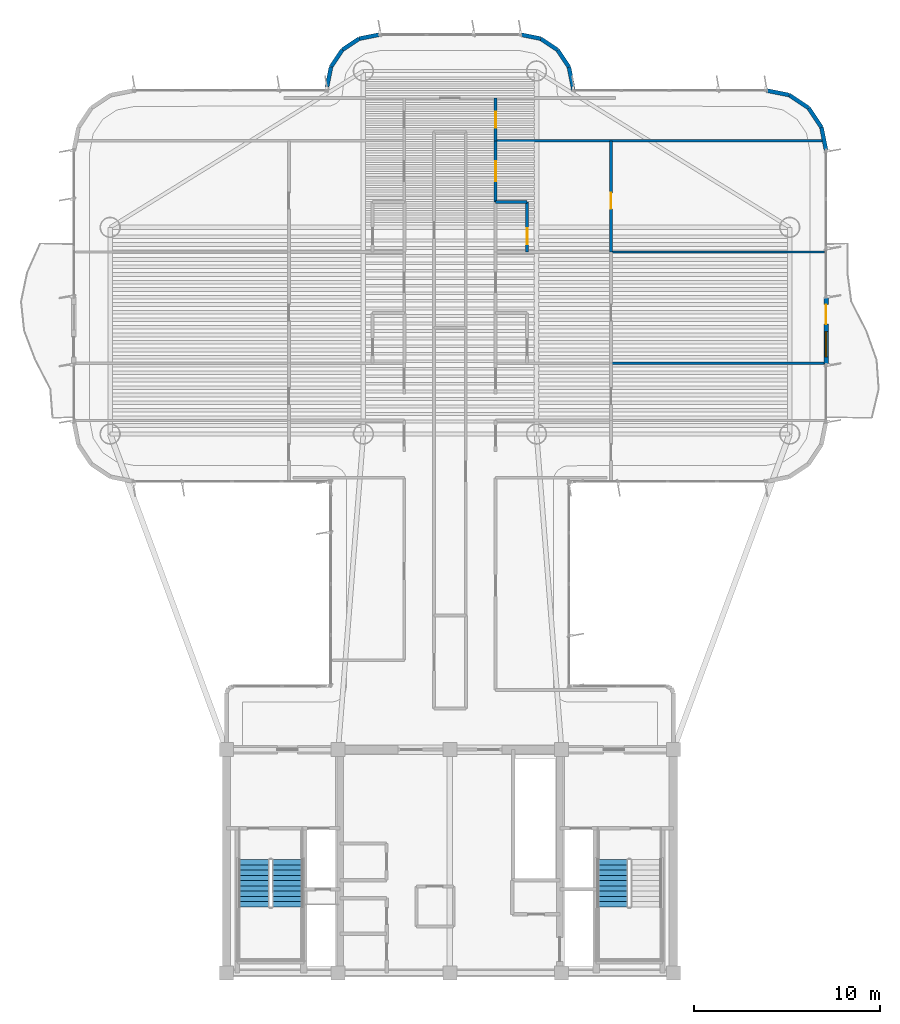
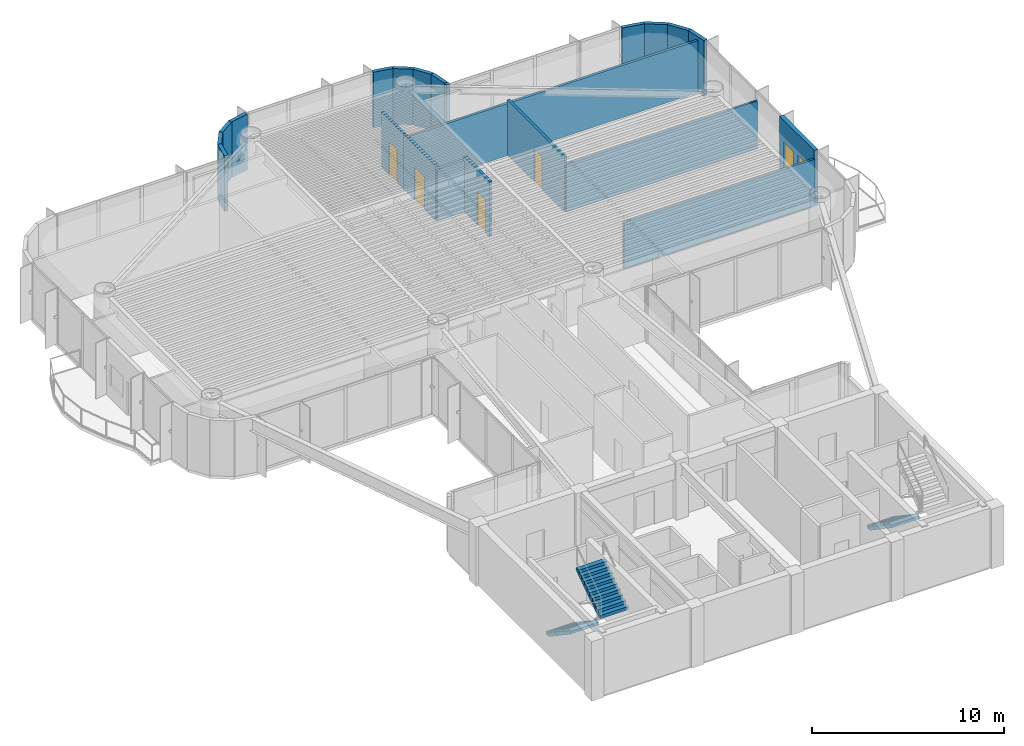
# One storey, part 12 of 15: 22 walls, 5 doors, 3 stair flights, 1 window, 6 openings, 2 elements without a shape of their own.
"""IFC4 building model written with IfcOpenShell, lengths in metres."""

from ifc_helpers import new_model, si_unit, direction, frame, frame_2d, origin, origin_2d, place, context, subcontext, project, spatial, polyline, rectangle, outline, extrude, source, transform, mapped, material, layer, layer_set, type_object, element, fill, aggregate, save


model = new_model("IFC4")

# Units and contexts
model_context = context("Model", 3, precision=1e-05, world=origin(), true_north=direction((0.0, 1.0)))
body_context = subcontext(model_context, "Body", "Model", "MODEL_VIEW")
ifc_project = project(units=[si_unit("LENGTHUNIT", "METRE"), si_unit("AREAUNIT", "SQUARE_METRE"), si_unit("VOLUMEUNIT", "CUBIC_METRE"), si_unit("PLANEANGLEUNIT", "RADIAN"), si_unit("MASSUNIT", "GRAM", prefix="KILO")], contexts=[model_context])

# Site, building, storey
site_placement = place(None, origin())
site = spatial("IfcSite", under=ifc_project, at=site_placement, CompositionType="ELEMENT")
building_placement = place(site_placement, origin())
building = spatial("IfcBuilding", under=site, at=building_placement, Name="Brelvock Crest Care Tower", CompositionType="ELEMENT")
storey_placement = place(building_placement, frame((0.0, 0.0, 171.5400390625)))
storey = spatial("IfcBuildingStorey", under=building, at=storey_placement, Name="L43", CompositionType="ELEMENT", Elevation=171.5400390625)

# Wall, openings, door, window
ifc_material_1 = material(Name="Precast concrete N40 (40 MPa)", Category="concrete")
ifc_layer_1 = layer(ifc_material_1, 0.239990234375, Name="WL-EX1")
ifc_layer_set_1 = layer_set([ifc_layer_1], Name="Precast concrete N40 (40 MPa)")
wall_type_1 = type_object("IfcWallType", Name="WL-EX1", PredefinedType="SOLIDWALL", material=ifc_layer_set_1)
wall_1_placement = place(storey_placement, frame((56.199951171875, 42.300048828125, 0.0), z_axis=(0.0, 0.0, 1.0), x_axis=(0.0, -1.0, 0.0)))
wall_1 = element("IfcWall", 1, at=wall_1_placement, inside=storey, type_object=wall_type_1, Name="L43 Exterior Spandrel Wall WL-BAL-L43-E", PredefinedType="SOLIDWALL", context=body_context, shape_type="SweptSolid", body=[
    extrude(rectangle(XDim=3.60009765625, YDim=0.239990234375, at=frame_2d((1.800048828125, 0.0))), origin(), (0.0, 0.0, 1.0), 3.530029296875),
])
opening_1_placement = place(wall_1_placement, frame((0.39990234375, 0.0, 0.0)))
opening_1 = element("IfcOpeningElement", 2, at=opening_1_placement, cuts=wall_1, Name="Opening BD-1", PredefinedType="OPENING", context=body_context, shape_type="SweptSolid", body=[
    extrude(rectangle(XDim=1.050048828125, YDim=2.14990234375, at=origin_2d()), frame((0.52490234375, 0.1298828125, 1.074951171875), z_axis=(0.0, -1.0, 0.0), x_axis=(1.0, 0.0, 0.0)), (0.0, 0.0, 1.0), 0.260009765625),
])
opening_2_placement = place(wall_1_placement, frame((1.85009765625, 0.0, 0.85009765625)))
opening_2 = element("IfcOpeningElement", 3, at=opening_2_placement, cuts=wall_1, Name="Opening W-01", PredefinedType="OPENING", context=body_context, shape_type="SweptSolid", body=[
    extrude(rectangle(XDim=1.35009765625, YDim=1.35009765625, at=origin_2d()), frame((0.675048828125, 0.1298828125, 0.675048828125), z_axis=(0.0, -1.0, 0.0), x_axis=(1.0, 0.0, 0.0)), (0.0, 0.0, 1.0), 0.260009765625),
])
ifc_material_2 = material(Name="Dark Glass Double Glazed Low-E", Category="glass")
door_type_1 = type_object("IfcDoorType", Name="DR-BAL1", OperationType="NOTDEFINED", PredefinedType="DOOR", material=ifc_material_2)
shared_shape_1 = source(origin(), body_context, "Body", "SweptSolid", [
    extrude(rectangle(XDim=1.050048828125, YDim=2.14990234375, at=origin_2d()), frame((0.52490234375, 0.02490234375, 1.074951171875), z_axis=(0.0, -1.0, 0.0), x_axis=(1.0, 0.0, 0.0)), (0.0, 0.0, 1.0), 0.050048828125),
])
door_1_placement = place(opening_1_placement, origin())
door_1 = element("IfcDoor", 4, at=door_1_placement, inside=storey, type_object=door_type_1, Name="L43 E Wave Balcony Glazed Door", OperationType="SINGLE_SWING_RIGHT", OverallHeight=2.14990234375, OverallWidth=1.050048828125, PredefinedType="DOOR", context=body_context, shape_type="MappedRepresentation", body=[
    mapped(shared_shape_1, transform((0.0, 0.0, 0.0), x_axis=(1.0, 0.0, 0.0), y_axis=(0.0, 1.0, 0.0), z_axis=(0.0, 0.0, 1.0), scale=1.0)),
])
fill(opening_1, door_1)
window_type = type_object("IfcWindowType", Name="WN-EX1", PartitioningType="SINGLE_PANEL", PredefinedType="WINDOW", material=ifc_material_2)
shared_shape_2 = source(origin(), body_context, "Body", "SweptSolid", [
    extrude(rectangle(XDim=1.35009765625, YDim=1.35009765625, at=origin_2d()), frame((0.675048828125, 0.030029296875, 0.675048828125), z_axis=(0.0, -1.0, 0.0), x_axis=(1.0, 0.0, 0.0)), (0.0, 0.0, 1.0), 0.06005859375),
])
window_placement = place(opening_2_placement, origin())
window = element("IfcWindow", 5, at=window_placement, inside=storey, type_object=window_type, Name="L43 E Suite Casement Window", OverallHeight=1.35009765625, OverallWidth=1.35009765625, PartitioningType="SINGLE_PANEL", PredefinedType="WINDOW", context=body_context, shape_type="MappedRepresentation", body=[
    mapped(shared_shape_2, transform((0.0, 0.0, 0.0), x_axis=(1.0, 0.0, 0.0), y_axis=(0.0, 1.0, 0.0), z_axis=(0.0, 0.0, 1.0), scale=1.0)),
])
fill(opening_2, window)

# Walls
ifc_layer_2 = layer(ifc_material_1, 0.215087890625, Name="WL-EX2")
ifc_layer_set_2 = layer_set([ifc_layer_2], Name="Precast concrete N40 (40 MPa)")
wall_type_2 = type_object("IfcWallType", Name="WL-EX2", PredefinedType="SOLIDWALL", material=ifc_layer_set_2)
wall_2_placement = place(storey_placement, frame((29.39990234375, 53.60009765625, 0.0), z_axis=(0.0, 0.0, 1.0), x_axis=(0.195127417394, 0.980777900945, 0.0)))
element("IfcWall", 6, at=wall_2_placement, inside=storey, type_object=wall_type_2, Name="L43 Rounded Corner Wall 24", PredefinedType="SOLIDWALL", context=body_context, shape_type="SweptSolid", body=[
    extrude(rectangle(XDim=1.09228515625, YDim=0.215087890625, at=frame_2d((0.546142578125, 0.0))), origin(), (0.0, 0.0, 1.0), 3.530029296875),
])
wall_3_placement = place(storey_placement, frame((29.613037109375, 54.67138671875, 0.0), z_axis=(0.0, 0.0, 1.0), x_axis=(0.555679482341, 0.831396603857, 0.0)))
element("IfcWall", 7, at=wall_3_placement, inside=storey, type_object=wall_type_2, Name="L43 Rounded Corner Wall 25", PredefinedType="SOLIDWALL", context=body_context, shape_type="SweptSolid", body=[
    extrude(rectangle(XDim=1.0927734375, YDim=0.215087890625, at=frame_2d((0.54638671875, 0.0))), origin(), (0.0, 0.0, 1.0), 3.530029296875),
])
for number, where, z_axis, x_axis, name in (
    (8, (30.22021484375, 55.579833984375, 0.0), (0.0, 0.0, 1.0), (0.831327592857, 0.555782721353, 0.0), "L43 Rounded Corner Wall 26"),
    (9, (31.12841796875, 56.18701171875, 0.0), (0.0, 0.0, 1.0), (0.980829143587, 0.194869677195, 0.0), "L43 Rounded Corner Wall 27"),
    (10, (39.800048828125, 56.39990234375, 0.0), (0.0, 0.0, 1.0), (0.980829143587, -0.194869677195, 0.0), "L43 Rounded Corner Wall 29"),
    (11, (40.87158203125, 56.18701171875, 0.0), (0.0, 0.0, 1.0), (0.831327592857, -0.555782721353, 0.0), "L43 Rounded Corner Wall 30"),
):
    element("IfcWall", number, at=place(storey_placement, frame(where, z_axis=z_axis, x_axis=x_axis)), inside=storey, type_object=wall_type_2, Name=name, PredefinedType="SOLIDWALL", context=body_context, shape_type="SweptSolid", body=[
        extrude(rectangle(XDim=1.092529296875, YDim=0.215087890625, at=frame_2d((0.54638671875, 0.0))), origin(), (0.0, 0.0, 1.0), 3.530029296875),
    ])
wall_4_placement = place(storey_placement, frame((41.77978515625, 55.579833984375, 0.0), z_axis=(0.0, 0.0, 1.0), x_axis=(0.555679482341, -0.831396603857, 0.0)))
element("IfcWall", 12, at=wall_4_placement, inside=storey, type_object=wall_type_2, Name="L43 Rounded Corner Wall 31", PredefinedType="SOLIDWALL", context=body_context, shape_type="SweptSolid", body=[
    extrude(rectangle(XDim=1.0927734375, YDim=0.215087890625, at=frame_2d((0.54638671875, 0.0))), origin(), (0.0, 0.0, 1.0), 3.530029296875),
])
wall_5_placement = place(storey_placement, frame((42.386962890625, 54.67138671875, 0.0), z_axis=(0.0, 0.0, 1.0), x_axis=(0.195127417394, -0.980777900945, 0.0)))
element("IfcWall", 13, at=wall_5_placement, inside=storey, type_object=wall_type_2, Name="L43 Rounded Corner Wall 32", PredefinedType="SOLIDWALL", context=body_context, shape_type="SweptSolid", body=[
    extrude(rectangle(XDim=1.09228515625, YDim=0.215087890625, at=frame_2d((0.546142578125, 0.0))), origin(), (0.0, 0.0, 1.0), 3.530029296875),
])
wall_6_placement = place(storey_placement, frame((42.60009765625, 53.60009765625, 0.0), z_axis=(0.0, 0.0, 1.0), x_axis=(0.0, -1.0, 0.0)))
element("IfcWall", 14, at=wall_6_placement, inside=storey, type_object=wall_type_2, Name="L43 Rounded Corner Wall 33", PredefinedType="SOLIDWALL", context=body_context, shape_type="SweptSolid", body=[
    extrude(rectangle(XDim=0.2001953125, YDim=0.215087890625, at=frame_2d((0.10009765625, 0.0))), origin(), (0.0, 0.0, 1.0), 3.530029296875),
])
for number, where, z_axis, x_axis, name in (
    (15, (53.0, 53.39990234375, 0.0), (0.0, 0.0, 1.0), (0.980813122964, -0.194950295773, 0.0), "L43 Rounded Corner Wall 35"),
    (16, (54.224609375, 53.156494140625, 0.0), (0.0, 0.0, 1.0), (0.831387912822, -0.555692485475, 0.0), "L43 Rounded Corner Wall 36"),
    (17, (55.2626953125, 52.462646484375, 0.0), (0.0, 0.0, 1.0), (0.555557312883, -0.831478245117, 0.0), "L43 Rounded Corner Wall 37"),
    (18, (55.956298828125, 51.424560546875, 0.0), (0.0, 0.0, 1.0), (0.195138390419, -0.980775717779, 0.0), "L43 Rounded Corner Wall 38"),
):
    element("IfcWall", number, at=place(storey_placement, frame(where, z_axis=z_axis, x_axis=x_axis)), inside=storey, type_object=wall_type_2, Name=name, PredefinedType="SOLIDWALL", context=body_context, shape_type="SweptSolid", body=[
        extrude(rectangle(XDim=1.24853515625, YDim=0.215087890625, at=frame_2d((0.624267578125, 0.0))), origin(), (0.0, 0.0, 1.0), 3.530029296875),
    ])
ifc_material_3 = material(Name="Masonry Blockwork Acoustic Partition", Category="masonry")
ifc_layer_3 = layer(ifc_material_3, 0.14990234375, Name="WL-INT1")
ifc_layer_set_3 = layer_set([ifc_layer_3], Name="Masonry Blockwork Acoustic Partition")
wall_type_3 = type_object("IfcWallType", Name="WL-INT1", PredefinedType="PARTITIONING", material=ifc_layer_set_3)
wall_7_placement = place(storey_placement, frame((38.449951171875, 50.699951171875, 0.0), z_axis=(0.0, 0.0, 1.0), x_axis=(1.0, 0.0, 0.0)))
element("IfcWall", 19, at=wall_7_placement, inside=storey, type_object=wall_type_3, Name="L43 Interior Wall WL-BX-L43-NALE-S", PredefinedType="PARTITIONING", context=body_context, shape_type="SweptSolid", body=[
    extrude(rectangle(XDim=17.569091796875, YDim=0.14990234375, at=frame_2d((8.78466796875, 0.0))), origin(), (0.0, 0.0, 1.0), 3.307861328125),
])

# Wall, opening, door
wall_8_placement = place(storey_placement, frame((38.449951171875, 47.4150390625, 0.0), z_axis=(0.0, 0.0, 1.0), x_axis=(0.0, 1.0, 0.0)))
wall_8 = element("IfcWall", 20, at=wall_8_placement, inside=storey, type_object=wall_type_3, Name="L43 Interior Wall WL-CENT-L43-ES3", PredefinedType="PARTITIONING", context=body_context, shape_type="SweptSolid", body=[
    extrude(rectangle(XDim=3.284912109375, YDim=0.14990234375, at=frame_2d((1.642578125, 0.0))), origin(), (0.0, 0.0, 1.0), 3.5),
])
opening_3_placement = place(wall_8_placement, frame((1.123046875, 0.0, 0.0)))
opening_3 = element("IfcOpeningElement", 21, at=opening_3_placement, cuts=wall_8, Name="Opening CD-1", PredefinedType="OPENING", context=body_context, shape_type="SweptSolid", body=[
    extrude(rectangle(XDim=1.050048828125, YDim=2.10009765625, at=origin_2d()), frame((0.52490234375, 0.0849609375, 1.050048828125), z_axis=(0.0, -1.0, 0.0), x_axis=(1.0, 0.0, 0.0)), (0.0, 0.0, 1.0), 0.169921875),
])
ifc_material_4 = material(Name="Engineered Hardwood Timber", Category="wood")
door_type_2 = type_object("IfcDoorType", Name="DR-CARE1", OperationType="NOTDEFINED", PredefinedType="DOOR", material=ifc_material_4)
shared_shape_3 = source(origin(), body_context, "Body", "SweptSolid", [
    extrude(rectangle(XDim=1.050048828125, YDim=2.10009765625, at=origin_2d()), frame((0.52490234375, 0.02490234375, 1.050048828125), z_axis=(0.0, -1.0, 0.0), x_axis=(1.0, 0.0, 0.0)), (0.0, 0.0, 1.0), 0.050048828125),
])
door_2_placement = place(opening_3_placement, origin())
door_2 = element("IfcDoor", 22, at=door_2_placement, inside=storey, type_object=door_type_2, Name="L43 Care Suite Door ES3", OperationType="SINGLE_SWING_LEFT", OverallHeight=2.10009765625, OverallWidth=1.050048828125, PredefinedType="DOOR", context=body_context, shape_type="MappedRepresentation", body=[
    mapped(shared_shape_3, transform((0.0, 0.0, 0.0), x_axis=(1.0, 0.0, 0.0), y_axis=(0.0, 1.0, 0.0), z_axis=(0.0, 0.0, 1.0), scale=1.0)),
])
fill(opening_3, door_2)

wall_9_placement = place(storey_placement, frame((38.449951171875, 50.699951171875, 0.0), z_axis=(0.0, 0.0, 1.0), x_axis=(0.0, 1.0, 0.0)))
wall_9 = element("IfcWall", 23, at=wall_9_placement, inside=storey, type_object=wall_type_3, Name="L43 Interior Wall WL-RM-L43-NALE", PredefinedType="PARTITIONING", context=body_context, shape_type="SweptSolid", body=[
    extrude(rectangle(XDim=2.300048828125, YDim=0.14990234375, at=frame_2d((1.14990234375, 0.0))), origin(), (0.0, 0.0, 1.0), 3.5),
])
opening_4_placement = place(wall_9_placement, frame((0.68994140625, 0.0, 0.0)))
opening_4 = element("IfcOpeningElement", 24, at=opening_4_placement, cuts=wall_9, Name="Opening ID-1", PredefinedType="OPENING", context=body_context, shape_type="SweptSolid", body=[
    extrude(rectangle(XDim=0.860107421875, YDim=2.10009765625, at=origin_2d()), frame((0.43017578125, 0.0849609375, 1.050048828125), z_axis=(0.0, -1.0, 0.0), x_axis=(1.0, 0.0, 0.0)), (0.0, 0.0, 1.0), 0.169921875),
])
door_type_3 = type_object("IfcDoorType", Name="DR-INT1", OperationType="NOTDEFINED", PredefinedType="DOOR", material=ifc_material_4)
shared_shape_4 = source(origin(), body_context, "Body", "SweptSolid", [
    extrude(rectangle(XDim=0.860107421875, YDim=2.10009765625, at=origin_2d()), frame((0.43017578125, 0.02490234375, 1.050048828125), z_axis=(0.0, -1.0, 0.0), x_axis=(1.0, 0.0, 0.0)), (0.0, 0.0, 1.0), 0.050048828125),
])
door_3_placement = place(opening_4_placement, origin())
door_3 = element("IfcDoor", 25, at=door_3_placement, inside=storey, type_object=door_type_3, Name="L43 North East Tea Alcove Door NALE", OperationType="SINGLE_SWING_LEFT", OverallHeight=2.10009765625, OverallWidth=0.860107421875, PredefinedType="DOOR", context=body_context, shape_type="MappedRepresentation", body=[
    mapped(shared_shape_4, transform((0.0, 0.0, 0.0), x_axis=(1.0, 0.0, 0.0), y_axis=(0.0, 1.0, 0.0), z_axis=(0.0, 0.0, 1.0), scale=1.0)),
])
fill(opening_4, door_3)

wall_10_placement = place(storey_placement, frame((44.64990234375, 44.72705078125, 0.0), z_axis=(0.0, 0.0, 1.0), x_axis=(0.0, 1.0, 0.0)))
wall_10 = element("IfcWall", 26, at=wall_10_placement, inside=storey, type_object=wall_type_3, Name="L43 Interior Wall WL-RM-L43-ES3S", PredefinedType="PARTITIONING", context=body_context, shape_type="SweptSolid", body=[
    extrude(rectangle(XDim=5.972900390625, YDim=0.14990234375, at=frame_2d((2.986328125, 0.0))), origin(), (0.0, 0.0, 1.0), 3.5),
])
opening_5_placement = place(wall_10_placement, frame((2.31298828125, 0.0, 0.0)))
opening_5 = element("IfcOpeningElement", 27, at=opening_5_placement, cuts=wall_10, Name="Opening ID-1", PredefinedType="OPENING", context=body_context, shape_type="SweptSolid", body=[
    extrude(rectangle(XDim=0.860107421875, YDim=2.10009765625, at=origin_2d()), frame((0.43017578125, 0.0849609375, 1.050048828125), z_axis=(0.0, -1.0, 0.0), x_axis=(1.0, 0.0, 0.0)), (0.0, 0.0, 1.0), 0.169921875),
])
door_4_placement = place(opening_5_placement, origin())
door_4 = element("IfcDoor", 28, at=door_4_placement, inside=storey, type_object=door_type_3, Name="L43 Assisted Care Mobility Store Door ES3S", OperationType="SINGLE_SWING_LEFT", OverallHeight=2.10009765625, OverallWidth=0.860107421875, PredefinedType="DOOR", context=body_context, shape_type="MappedRepresentation", body=[
    mapped(shared_shape_4, transform((0.0, 0.0, 0.0), x_axis=(1.0, 0.0, 0.0), y_axis=(0.0, 1.0, 0.0), z_axis=(0.0, 0.0, 1.0), scale=1.0)),
])
fill(opening_5, door_4)

# Walls
ifc_material_5 = material(Name="Gypsum Plasterboard Partition", Category="gypsum")
ifc_layer_4 = layer(ifc_material_5, 0.1201171875, Name="WL-INT2")
ifc_layer_set_4 = layer_set([ifc_layer_4], Name="Gypsum Plasterboard Partition")
wall_type_4 = type_object("IfcWallType", Name="WL-INT2", PredefinedType="PARTITIONING", material=ifc_layer_set_4)
wall_11_placement = place(storey_placement, frame((44.64990234375, 38.75390625, 0.0), z_axis=(0.0, 0.0, 1.0), x_axis=(1.0, 0.0, 0.0)))
element("IfcWall", 29, at=wall_11_placement, inside=storey, type_object=wall_type_4, Name="L43 Interior Wall WL-BX-L43-ES1BS-N", PredefinedType="PARTITIONING", context=body_context, shape_type="SweptSolid", body=[
    extrude(rectangle(XDim=11.47021484375, YDim=0.1201171875, at=frame_2d((5.735107421875, 0.0))), origin(), (0.0, 0.0, 1.0), 2.98193359375),
])
wall_12_placement = place(storey_placement, frame((44.64990234375, 44.72705078125, 0.0), z_axis=(0.0, 0.0, 1.0), x_axis=(1.0, 0.0, 0.0)))
element("IfcWall", 30, at=wall_12_placement, inside=storey, type_object=wall_type_4, Name="L43 Interior Wall WL-BX-L43-ES2S-N", PredefinedType="PARTITIONING", context=body_context, shape_type="SweptSolid", body=[
    extrude(rectangle(XDim=11.47021484375, YDim=0.1201171875, at=frame_2d((5.735107421875, 0.0))), origin(), (0.0, 0.0, 1.0), 3.054931640625),
])
ifc_layer_5 = layer(ifc_material_5, 0.159912109375, Name="WL-PLM1")
ifc_layer_set_5 = layer_set([ifc_layer_5], Name="Gypsum Plasterboard Partition")
wall_type_5 = type_object("IfcWallType", Name="WL-PLM1", PredefinedType="PLUMBINGWALL", material=ifc_layer_set_5)
wall_13_placement = place(storey_placement, frame((38.449951171875, 47.4150390625, 0.0), z_axis=(0.0, 0.0, 1.0), x_axis=(1.0, 0.0, 0.0)))
element("IfcWall", 31, at=wall_13_placement, inside=storey, type_object=wall_type_5, Name="L43 Interior Wall WL-CENS2-L43-ES3", PredefinedType="PLUMBINGWALL", context=body_context, shape_type="SweptSolid", body=[
    extrude(rectangle(XDim=1.699951171875, YDim=0.159912109375, at=frame_2d((0.85009765625, 0.0))), origin(), (0.0, 0.0, 1.0), 3.259033203125),
])

# Wall, opening, door
wall_14_placement = place(storey_placement, frame((40.14990234375, 44.72705078125, 0.0), z_axis=(0.0, 0.0, 1.0), x_axis=(0.0, 1.0, 0.0)))
wall_14 = element("IfcWall", 32, at=wall_14_placement, inside=storey, type_object=wall_type_5, Name="L43 Interior Wall WL-CENS1-L43-ES3", PredefinedType="PLUMBINGWALL", context=body_context, shape_type="SweptSolid", body=[
    extrude(rectangle(XDim=2.68798828125, YDim=0.159912109375, at=frame_2d((1.343994140625, 0.0))), origin(), (0.0, 0.0, 1.0), 3.5),
])
opening_6_placement = place(wall_14_placement, frame((0.419921875, 0.0, 0.0)))
opening_6 = element("IfcOpeningElement", 33, at=opening_6_placement, cuts=wall_14, Name="Opening WD-1", PredefinedType="OPENING", context=body_context, shape_type="SweptSolid", body=[
    extrude(rectangle(XDim=0.860107421875, YDim=2.10009765625, at=origin_2d()), frame((0.43017578125, 0.08984375, 1.050048828125), z_axis=(0.0, -1.0, 0.0), x_axis=(1.0, 0.0, 0.0)), (0.0, 0.0, 1.0), 0.179931640625),
])
door_type_4 = type_object("IfcDoorType", Name="DR-WC1", OperationType="NOTDEFINED", PredefinedType="DOOR", material=ifc_material_4)
shared_shape_5 = source(origin(), body_context, "Body", "SweptSolid", [
    extrude(rectangle(XDim=0.860107421875, YDim=2.10009765625, at=origin_2d()), frame((0.43017578125, 0.02490234375, 1.050048828125), z_axis=(0.0, -1.0, 0.0), x_axis=(1.0, 0.0, 0.0)), (0.0, 0.0, 1.0), 0.050048828125),
])
door_5_placement = place(opening_6_placement, origin())
door_5 = element("IfcDoor", 34, at=door_5_placement, inside=storey, type_object=door_type_4, Name="L43 Care En-Suite Door ES3", OperationType="SINGLE_SWING_RIGHT", OverallHeight=2.10009765625, OverallWidth=0.860107421875, PredefinedType="DOOR", context=body_context, shape_type="MappedRepresentation", body=[
    mapped(shared_shape_5, transform((0.0, 0.0, 0.0), x_axis=(1.0, 0.0, 0.0), y_axis=(0.0, 1.0, 0.0), z_axis=(0.0, 0.0, 1.0), scale=1.0)),
])
fill(opening_6, door_5)

# Stair, stair flights
ifc_material_6 = material(Name="Concrete N40 (40 MPa)", Category="concrete")
stair_type = type_object("IfcStairType", Name="ST-CORE1", PredefinedType="HALF_TURN_STAIR", material=ifc_material_6)
stair_1_placement = place(storey_placement, origin())
stair_1 = element("IfcStair", 35, at=stair_1_placement, inside=storey, type_object=stair_type, Name="L43 Fire-Isolated Core Stair ST-1", PredefinedType="HALF_TURN_STAIR")
stair_flight_type = type_object("IfcStairFlightType", Name="STF-1", PredefinedType="STRAIGHT", material=ifc_material_6)
stair_flight_1_placement = place(storey_placement, frame((25.469970703125, 12.080078125, 0.0), z_axis=(0.0, 0.0, 1.0), x_axis=(0.0, -1.0, 0.0)))
stair_flight_1 = element("IfcStairFlight", 36, at=stair_flight_1_placement, type_object=stair_flight_type, Name="ST-1 flight 1", NumberOfRisers=10, NumberOfTreads=9, PredefinedType="STRAIGHT", RiserHeight=0.189, TreadLength=0.28, context=body_context, shape_type="SweptSolid", body=[
    extrude(outline(polyline([(-0.00390625, -0.014892578125), (-0.00390625, -0.0078125), (-0.00390625, -0.00048828125), (-0.00390625, 0.0068359375), (-0.00390625, 0.01416015625), (-0.00390625, 0.021484375), (-0.00390625, 0.02880859375), (-0.00390625, 0.035888671875), (-0.00390625, 0.043212890625), (-0.00390625, 0.050537109375), (-0.00390625, 0.057861328125), (-0.00390625, 0.065185546875), (-0.00390625, 0.072509765625), (-0.00390625, 0.07958984375), (-0.00390625, 0.0869140625), (-0.00390625, 0.09423828125), (-0.00390625, 0.1015625), (-0.00390625, 0.10888671875), (-0.00390625, 0.1162109375), (-0.00390625, 0.12353515625), (-0.00390625, 0.130615234375), (-0.00390625, 0.137939453125), (-0.00390625, 0.145263671875), (-0.00390625, 0.152587890625), (-0.00390625, 0.159912109375), (-0.00390625, 0.167236328125), (-0.00390625, 0.17431640625), (-0.00390625, 0.181640625), (-0.00390625, 0.18896484375), (0.0, 0.18896484375), (0.280029296875, 0.18896484375), (0.280029296875, 0.3779296875), (0.56005859375, 0.3779296875), (0.56005859375, 0.56689453125), (0.840087890625, 0.56689453125), (0.840087890625, 0.756103515625), (1.1201171875, 0.756103515625), (1.1201171875, 0.945068359375), (1.39990234375, 0.945068359375), (1.39990234375, 1.134033203125), (1.679931640625, 1.134033203125), (1.679931640625, 1.322998046875), (1.9599609375, 1.322998046875), (1.9599609375, 1.511962890625), (2.239990234375, 1.511962890625), (2.239990234375, 1.700927734375), (2.52001953125, 1.700927734375), (2.52392578125, 1.700927734375), (2.523681640625, 1.70068359375), (2.52392578125, 1.700439453125), (2.523681640625, 1.699951171875), (2.52392578125, 1.69970703125), (2.523681640625, 1.699462890625), (2.52392578125, 1.698974609375), (2.523681640625, 1.69873046875), (2.52392578125, 1.698486328125), (2.523681640625, 1.697998046875), (2.52392578125, 1.69775390625), (2.523681640625, 1.697509765625), (2.52392578125, 1.697021484375), (2.523681640625, 1.69677734375), (2.52392578125, 1.696533203125), (2.523681640625, 1.6962890625), (2.52392578125, 1.69580078125), (2.523681640625, 1.695556640625), (2.52392578125, 1.6953125), (2.523681640625, 1.69482421875), (2.52392578125, 1.694580078125), (2.523681640625, 1.6943359375), (2.52392578125, 1.69384765625), (2.523681640625, 1.693603515625), (2.52392578125, 1.693359375), (2.523681640625, 1.69287109375), (2.52392578125, 1.692626953125), (2.523681640625, 1.6923828125), (2.52392578125, 1.69189453125), (2.52001953125, 1.520263671875), (0.267822265625, 0.0), (0.0, 0.0), (0.0, -0.014892578125), (-0.00390625, -0.014892578125)])), frame((0.0, 0.83984375, 0.0), z_axis=(0.0, -1.0, 0.0), x_axis=(1.0, 0.0, 0.0)), (0.0, 0.0, 1.0), 1.679931640625),
])
stair_flight_2_placement = place(storey_placement, frame((27.27001953125, 9.56005859375, 1.889892578125), z_axis=(0.0, 0.0, 1.0), x_axis=(0.0, 1.0, 0.0)))
stair_flight_2 = element("IfcStairFlight", 37, at=stair_flight_2_placement, type_object=stair_flight_type, Name="ST-1 flight 2", NumberOfRisers=10, NumberOfTreads=9, PredefinedType="STRAIGHT", RiserHeight=0.189, TreadLength=0.28, context=body_context, shape_type="SweptSolid", body=[
    extrude(outline(polyline([(-0.00390625, -0.014892578125), (-0.00390625, -0.0078125), (-0.00390625, -0.00048828125), (-0.00390625, 0.0068359375), (-0.00390625, 0.01416015625), (-0.00390625, 0.021484375), (-0.00390625, 0.02880859375), (-0.00390625, 0.035888671875), (-0.00390625, 0.043212890625), (-0.00390625, 0.050537109375), (-0.00390625, 0.057861328125), (-0.00390625, 0.065185546875), (-0.00390625, 0.072509765625), (-0.00390625, 0.07958984375), (-0.00390625, 0.0869140625), (-0.00390625, 0.09423828125), (-0.00390625, 0.1015625), (-0.00390625, 0.10888671875), (-0.00390625, 0.1162109375), (-0.00390625, 0.12353515625), (-0.00390625, 0.130615234375), (-0.00390625, 0.137939453125), (-0.00390625, 0.145263671875), (-0.00390625, 0.152587890625), (-0.00390625, 0.159912109375), (-0.00390625, 0.167236328125), (-0.00390625, 0.17431640625), (-0.00390625, 0.181640625), (-0.00390625, 0.18896484375), (0.0, 0.18896484375), (0.280029296875, 0.18896484375), (0.280029296875, 0.3779296875), (0.56005859375, 0.3779296875), (0.56005859375, 0.56689453125), (0.840087890625, 0.56689453125), (0.840087890625, 0.756103515625), (1.1201171875, 0.756103515625), (1.1201171875, 0.945068359375), (1.39990234375, 0.945068359375), (1.39990234375, 1.134033203125), (1.679931640625, 1.134033203125), (1.679931640625, 1.322998046875), (1.9599609375, 1.322998046875), (1.9599609375, 1.511962890625), (2.239990234375, 1.511962890625), (2.239990234375, 1.700927734375), (2.52001953125, 1.700927734375), (2.52392578125, 1.700927734375), (2.523681640625, 1.70068359375), (2.52392578125, 1.700439453125), (2.523681640625, 1.699951171875), (2.52392578125, 1.69970703125), (2.523681640625, 1.699462890625), (2.52392578125, 1.698974609375), (2.523681640625, 1.69873046875), (2.52392578125, 1.698486328125), (2.523681640625, 1.697998046875), (2.52392578125, 1.69775390625), (2.523681640625, 1.697509765625), (2.52392578125, 1.697021484375), (2.523681640625, 1.69677734375), (2.52392578125, 1.696533203125), (2.523681640625, 1.6962890625), (2.52392578125, 1.69580078125), (2.523681640625, 1.695556640625), (2.52392578125, 1.6953125), (2.523681640625, 1.69482421875), (2.52392578125, 1.694580078125), (2.523681640625, 1.6943359375), (2.52392578125, 1.69384765625), (2.523681640625, 1.693603515625), (2.52392578125, 1.693359375), (2.523681640625, 1.69287109375), (2.52392578125, 1.692626953125), (2.523681640625, 1.6923828125), (2.52392578125, 1.69189453125), (2.52001953125, 1.520263671875), (0.267822265625, 0.0), (0.0, 0.0), (0.0, -0.014892578125), (-0.00390625, -0.014892578125)])), frame((0.0, 0.83984375, 0.0), z_axis=(0.0, -1.0, 0.0), x_axis=(1.0, 0.0, 0.0)), (0.0, 0.0, 1.0), 1.679931640625),
])
aggregate(stair_1, [stair_flight_1, stair_flight_2])

# Stair, stair flight
stair_2_placement = place(storey_placement, origin())
stair_2 = element("IfcStair", 38, at=stair_2_placement, inside=storey, type_object=stair_type, Name="L43 Fire-Isolated Core Stair ST-2", PredefinedType="HALF_TURN_STAIR")
stair_flight_3_placement = place(storey_placement, frame((44.72998046875, 12.080078125, 0.0), z_axis=(0.0, 0.0, 1.0), x_axis=(0.0, -1.0, 0.0)))
stair_flight_3 = element("IfcStairFlight", 39, at=stair_flight_3_placement, type_object=stair_flight_type, Name="ST-2 flight 1", NumberOfRisers=10, NumberOfTreads=9, PredefinedType="STRAIGHT", RiserHeight=0.189, TreadLength=0.28, context=body_context, shape_type="SweptSolid", body=[
    extrude(outline(polyline([(-0.00390625, -0.014892578125), (-0.00390625, -0.0078125), (-0.00390625, -0.00048828125), (-0.00390625, 0.0068359375), (-0.00390625, 0.01416015625), (-0.00390625, 0.021484375), (-0.00390625, 0.02880859375), (-0.00390625, 0.035888671875), (-0.00390625, 0.043212890625), (-0.00390625, 0.050537109375), (-0.00390625, 0.057861328125), (-0.00390625, 0.065185546875), (-0.00390625, 0.072509765625), (-0.00390625, 0.07958984375), (-0.00390625, 0.0869140625), (-0.00390625, 0.09423828125), (-0.00390625, 0.1015625), (-0.00390625, 0.10888671875), (-0.00390625, 0.1162109375), (-0.00390625, 0.12353515625), (-0.00390625, 0.130615234375), (-0.00390625, 0.137939453125), (-0.00390625, 0.145263671875), (-0.00390625, 0.152587890625), (-0.00390625, 0.159912109375), (-0.00390625, 0.167236328125), (-0.00390625, 0.17431640625), (-0.00390625, 0.181640625), (-0.00390625, 0.18896484375), (0.0, 0.18896484375), (0.280029296875, 0.18896484375), (0.280029296875, 0.3779296875), (0.56005859375, 0.3779296875), (0.56005859375, 0.56689453125), (0.840087890625, 0.56689453125), (0.840087890625, 0.756103515625), (1.1201171875, 0.756103515625), (1.1201171875, 0.945068359375), (1.39990234375, 0.945068359375), (1.39990234375, 1.134033203125), (1.679931640625, 1.134033203125), (1.679931640625, 1.322998046875), (1.9599609375, 1.322998046875), (1.9599609375, 1.511962890625), (2.239990234375, 1.511962890625), (2.239990234375, 1.700927734375), (2.52001953125, 1.700927734375), (2.52392578125, 1.700927734375), (2.523681640625, 1.70068359375), (2.52392578125, 1.700439453125), (2.523681640625, 1.699951171875), (2.52392578125, 1.69970703125), (2.523681640625, 1.699462890625), (2.52392578125, 1.698974609375), (2.523681640625, 1.69873046875), (2.52392578125, 1.698486328125), (2.523681640625, 1.697998046875), (2.52392578125, 1.69775390625), (2.523681640625, 1.697509765625), (2.52392578125, 1.697021484375), (2.523681640625, 1.69677734375), (2.52392578125, 1.696533203125), (2.523681640625, 1.6962890625), (2.52392578125, 1.69580078125), (2.523681640625, 1.695556640625), (2.52392578125, 1.6953125), (2.523681640625, 1.69482421875), (2.52392578125, 1.694580078125), (2.523681640625, 1.6943359375), (2.52392578125, 1.69384765625), (2.523681640625, 1.693603515625), (2.52392578125, 1.693359375), (2.523681640625, 1.69287109375), (2.52392578125, 1.692626953125), (2.523681640625, 1.6923828125), (2.52392578125, 1.69189453125), (2.52001953125, 1.520263671875), (0.267822265625, 0.0), (0.0, 0.0), (0.0, -0.014892578125), (-0.00390625, -0.014892578125)])), frame((0.0, 0.83984375, 0.0), z_axis=(0.0, -1.0, 0.0), x_axis=(1.0, 0.0, 0.0)), (0.0, 0.0, 1.0), 1.679931640625),
])
aggregate(stair_2, [stair_flight_3])

save(model, "model.ifc")
